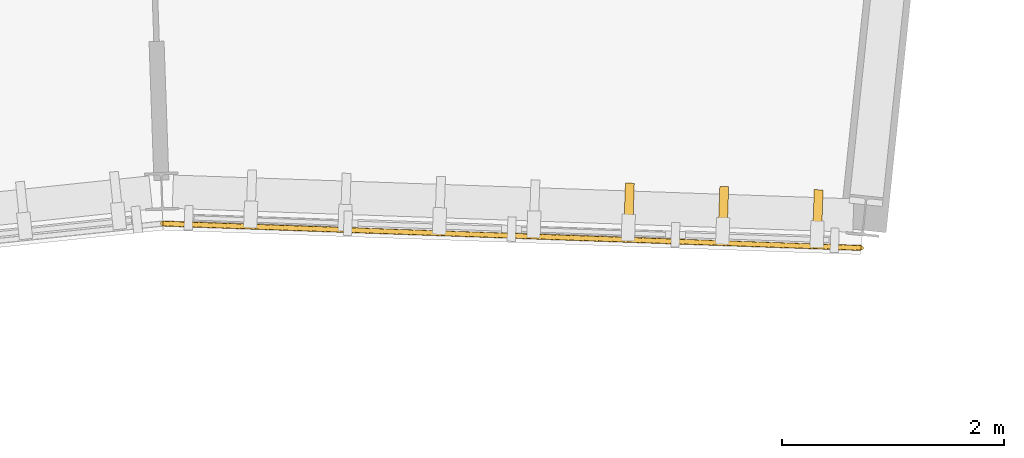
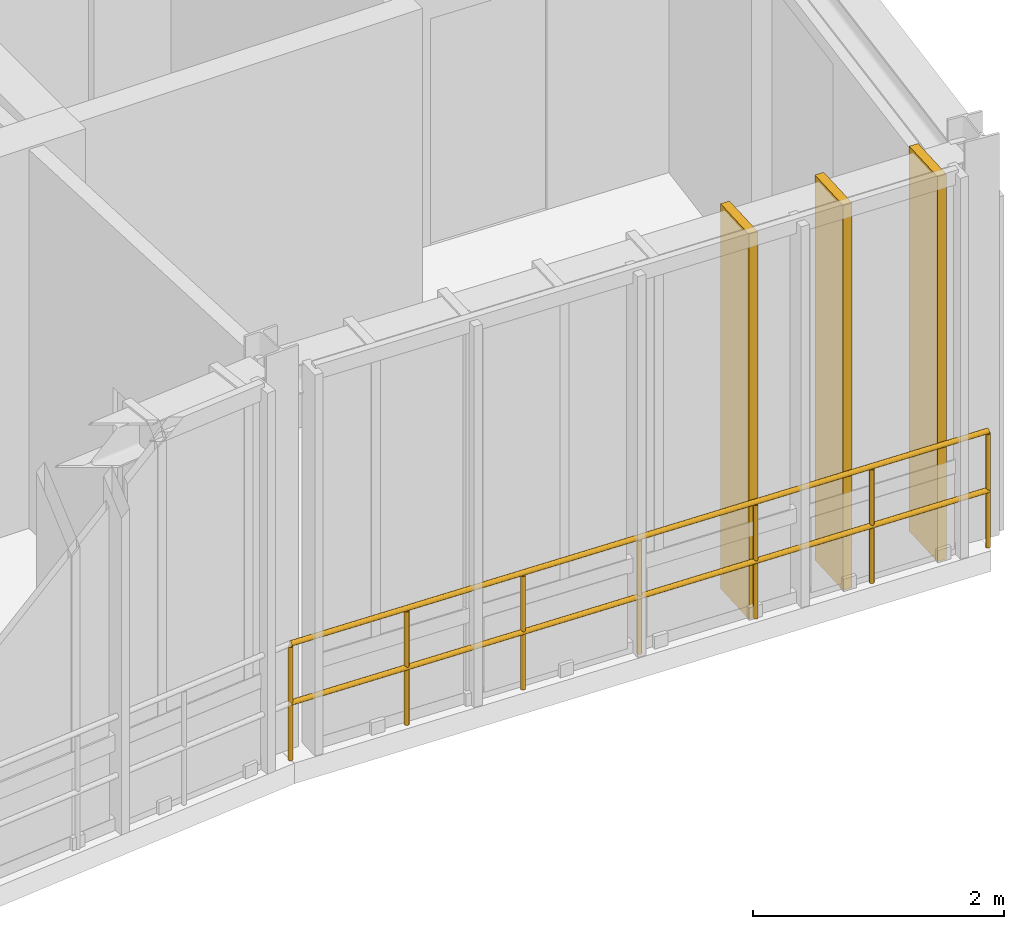
# One storey, part 39 of 41: 3 coverings, 1 railing.
"""IFC4 building model written with IfcOpenShell, lengths in metres."""

from ifc_helpers import new_model, si_unit, direction, frame, origin, origin_2d, place, context, subcontext, project, spatial, rectangle, circle, extrude, material, layer, layer_set, type_object, element, save


model = new_model("IFC4")

# Units and contexts
model_context = context("Model", 3, precision=1e-05, world=origin(), true_north=direction((0.0, 1.0)))
body_context = subcontext(model_context, "Body", "Model", "MODEL_VIEW")
ifc_project = project(units=[si_unit("LENGTHUNIT", "METRE"), si_unit("AREAUNIT", "SQUARE_METRE"), si_unit("VOLUMEUNIT", "CUBIC_METRE"), si_unit("PLANEANGLEUNIT", "RADIAN"), si_unit("MASSUNIT", "GRAM", prefix="KILO"), si_unit("THERMODYNAMICTEMPERATUREUNIT", "KELVIN"), si_unit("POWERUNIT", "WATT")], contexts=[model_context])

# Site, building, storey
site_placement = place(None, origin())
site = spatial("IfcSite", under=ifc_project, at=site_placement, CompositionType="ELEMENT")
building_placement = place(site_placement, origin())
building = spatial("IfcBuilding", under=site, at=building_placement, Name="Solvatero Civic Police Headquarters", CompositionType="ELEMENT")
storey_placement = place(building_placement, frame((0.0, 0.0, 17.699951171875)))
storey = spatial("IfcBuildingStorey", under=building, at=storey_placement, Name="L04", CompositionType="ELEMENT", Elevation=17.699951171875)

# Coverings
ifc_material_1 = material(Name="Anodized Bronze Aluminium", Category="aluminium")
ifc_layer = layer(ifc_material_1, 0.080078125)
ifc_layer_set = layer_set([ifc_layer], Name="Anodized Bronze Aluminium")
covering_type = type_object("IfcCoveringType", Name="COV-FIN-480", PredefinedType="CLADDING", material=ifc_layer_set)
for number, where, z_axis, x_axis, name in (
    (1, (98.320068359375, 71.0966796875, -0.02001953125), (0.0, 0.0, 1.0), (-0.999390827019, 0.034899496703, 0.0), "Vertical Brise-Soleil Fin 0787"),
    (2, (97.470458984375, 71.12646484375, -0.02001953125), (0.0, 0.0, 1.0), (-0.999390827019, 0.034899496703, 0.0), "Vertical Brise-Soleil Fin 0788"),
    (3, (96.62109375, 71.156005859375, -0.02001953125), (0.0, 0.0, 1.0), (-0.999390827019, 0.034899496703, 0.0), "Vertical Brise-Soleil Fin 0789"),
):
    element("IfcCovering", number, at=place(storey_placement, frame(where, z_axis=z_axis, x_axis=x_axis)), inside=storey, type_object=covering_type, Name=name, PredefinedType="CLADDING", context=body_context, shape_type="SweptSolid", body=[
        extrude(rectangle(XDim=0.080078125, YDim=0.47998046875, at=origin_2d()), origin(), (0.0, 0.0, 1.0), 3.739990234375),
    ])

# Railing
ifc_material_2 = material(Name="Anodized Bronze and Laminated Glass", Category="glass")
railing_type = type_object("IfcRailingType", Name="RL-BAL-115", PredefinedType="BALUSTRADE", material=ifc_material_2)
railing_placement = place(storey_placement, frame((98.710205078125, 70.813232421875, 0.0)))
element("IfcRailing", 4, at=railing_placement, inside=storey, type_object=railing_type, Name="Glazed Facade Sill Balustrade RL-L04-ARCIN-B01", PredefinedType="BALUSTRADE", context=body_context, shape_type="SweptSolid", body=[
    extrude(circle(Radius=0.02392578125, at=origin_2d()), frame((0.0, 0.0, 1.1259765625), z_axis=(-0.999390354314, 0.034913030564, 0.0), x_axis=(-0.034913030564, -0.999390354314, 0.0)), (0.0, 0.0, 1.0), 6.28662109375),
    extrude(circle(Radius=0.02392578125, at=origin_2d()), frame((0.0, 0.0, 0.55078125), z_axis=(-0.999390354314, 0.034913030564, 0.0), x_axis=(-0.034913030564, -0.999390354314, 0.0)), (0.0, 0.0, 1.0), 6.28662109375),
    extrude(circle(Radius=0.02099609375, at=origin_2d()), origin(), (0.0, 0.0, 1.0), 1.101806640625),
    extrude(circle(Radius=0.02099609375, at=origin_2d()), frame((-1.047119140625, 0.03662109375, 0.0)), (0.0, 0.0, 1.0), 1.101806640625),
    extrude(circle(Radius=0.02099609375, at=origin_2d()), frame((-2.09423828125, 0.0732421875, 0.0)), (0.0, 0.0, 1.0), 1.101806640625),
    extrude(circle(Radius=0.02099609375, at=origin_2d()), frame((-3.141357421875, 0.10986328125, 0.0)), (0.0, 0.0, 1.0), 1.101806640625),
    extrude(circle(Radius=0.02099609375, at=origin_2d()), frame((-4.1884765625, 0.146240234375, 0.0)), (0.0, 0.0, 1.0), 1.101806640625),
    extrude(circle(Radius=0.02099609375, at=origin_2d()), frame((-5.235595703125, 0.182861328125, 0.0)), (0.0, 0.0, 1.0), 1.101806640625),
    extrude(circle(Radius=0.02099609375, at=origin_2d()), frame((-6.28271484375, 0.219482421875, 0.0)), (0.0, 0.0, 1.0), 1.101806640625),
])

save(model, "model.ifc")
